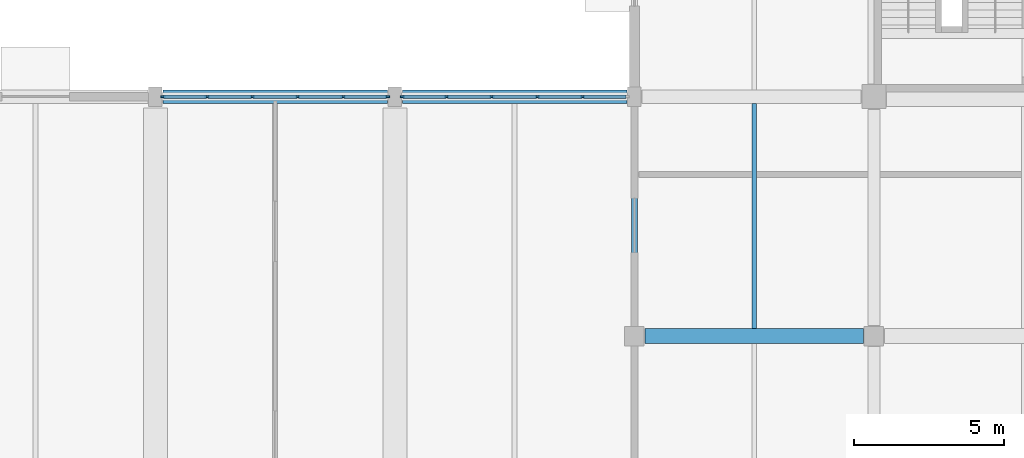
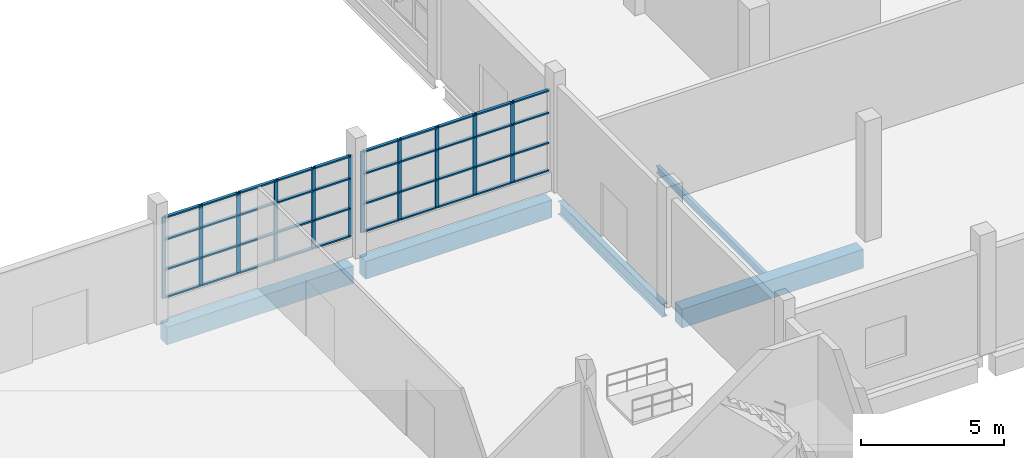
# One storey, part 41 of 103: 51 members, 5 beams, 2 elements without a shape of their own.
"""IFC4 building model written with IfcOpenShell, lengths in metres."""

from ifc_helpers import new_model, si_unit, direction, frame, origin, origin_2d, place, context, subcontext, project, spatial, rectangle, i_section, extrude, material, layer, layer_set, material_profile, profile_set, type_object, element, aggregate, save


model = new_model("IFC4")

# Units and contexts
model_context = context("Model", 3, precision=1e-05, world=origin(), true_north=direction((0.0, 1.0)))
body_context = subcontext(model_context, "Body", "Model", "MODEL_VIEW")
ifc_project = project(units=[si_unit("LENGTHUNIT", "METRE"), si_unit("AREAUNIT", "SQUARE_METRE"), si_unit("VOLUMEUNIT", "CUBIC_METRE"), si_unit("PLANEANGLEUNIT", "RADIAN"), si_unit("MASSUNIT", "GRAM", prefix="KILO")], contexts=[model_context])

# Site, building, storey
site_placement = place(None, origin())
site = spatial("IfcSite", under=ifc_project, at=site_placement, CompositionType="ELEMENT")
building_placement = place(site_placement, origin())
building = spatial("IfcBuilding", under=site, at=building_placement, Name="Drelvana Railside Aquatics Centre", CompositionType="ELEMENT")
storey_placement = place(building_placement, origin())
storey = spatial("IfcBuildingStorey", under=building, at=storey_placement, Name="L00", CompositionType="ELEMENT", Elevation=0.0)

# Curtain wall, members
ifc_material_1 = material(Name="Bronze-anodised aluminium curtain wall", Category="aluminium")
ifc_layer = layer(ifc_material_1, 0.1650390625, Name="Bronze-anodised aluminium curtain wall")
ifc_layer_set = layer_set([ifc_layer], Name="Bronze-anodised aluminium curtain wall")
curtain_wall_type = type_object("IfcCurtainWallType", Name="CW-Z5-COURT", PredefinedType="NOTDEFINED", material=ifc_layer_set)
curtain_wall_1_placement = place(storey_placement, origin())
curtain_wall_1 = element("IfcCurtainWall", 1, at=curtain_wall_1_placement, inside=storey, type_object=curtain_wall_type, Name="Curtain wall CW-05-111", PredefinedType="NOTDEFINED")
ifc_material_2 = material(Name="Bronze-anodised aluminium 6063-T6", Category="aluminium")
ifc_material_profile_1 = material_profile(ifc_material_2, rectangle(XDim=0.06005859375, YDim=0.14990234375, at=origin_2d()), Name="ALU-M 60x150")
ifc_profile_set_1 = profile_set([ifc_material_profile_1], Name="Bronze-anodised aluminium 6063-T6")
member_type_1 = type_object("IfcMemberType", Name="CW-Z5-COURT-MUL", PredefinedType="MULLION", material=ifc_profile_set_1)
member_1_placement = place(storey_placement, frame((128.2490234375, 24.0, 0.7939453125), z_axis=(0.0, 0.0, 1.0), x_axis=(0.0, 1.0, 0.0)))
member_1 = element("IfcMember", 2, at=member_1_placement, type_object=member_type_1, Name="CW-05 mullion 1", PredefinedType="MULLION", context=body_context, shape_type="SweptSolid", body=[
    extrude(rectangle(XDim=0.06005859375, YDim=0.14990234375, at=origin_2d()), origin(), (0.0, 0.0, 1.0), 3.4560546875),
])
member_2_placement = place(storey_placement, frame((129.7314453125, 24.0, 0.7939453125), z_axis=(0.0, 0.0, 1.0), x_axis=(0.0, 1.0, 0.0)))
member_2 = element("IfcMember", 3, at=member_2_placement, type_object=member_type_1, Name="CW-05 mullion 2", PredefinedType="MULLION", context=body_context, shape_type="SweptSolid", body=[
    extrude(rectangle(XDim=0.06005859375, YDim=0.14990234375, at=origin_2d()), origin(), (0.0, 0.0, 1.0), 3.4560546875),
])
member_3_placement = place(storey_placement, frame((131.243896484375, 24.0, 0.7939453125), z_axis=(0.0, 0.0, 1.0), x_axis=(0.0, 1.0, 0.0)))
member_3 = element("IfcMember", 4, at=member_3_placement, type_object=member_type_1, Name="CW-05 mullion 3", PredefinedType="MULLION", context=body_context, shape_type="SweptSolid", body=[
    extrude(rectangle(XDim=0.06005859375, YDim=0.14990234375, at=origin_2d()), origin(), (0.0, 0.0, 1.0), 3.4560546875),
])
member_4_placement = place(storey_placement, frame((132.756103515625, 24.0, 0.7939453125), z_axis=(0.0, 0.0, 1.0), x_axis=(0.0, 1.0, 0.0)))
member_4 = element("IfcMember", 5, at=member_4_placement, type_object=member_type_1, Name="CW-05 mullion 4", PredefinedType="MULLION", context=body_context, shape_type="SweptSolid", body=[
    extrude(rectangle(XDim=0.06005859375, YDim=0.14990234375, at=origin_2d()), origin(), (0.0, 0.0, 1.0), 3.4560546875),
])
member_5_placement = place(storey_placement, frame((134.2685546875, 24.0, 0.7939453125), z_axis=(0.0, 0.0, 1.0), x_axis=(0.0, 1.0, 0.0)))
member_5 = element("IfcMember", 6, at=member_5_placement, type_object=member_type_1, Name="CW-05 mullion 5", PredefinedType="MULLION", context=body_context, shape_type="SweptSolid", body=[
    extrude(rectangle(XDim=0.06005859375, YDim=0.14990234375, at=origin_2d()), origin(), (0.0, 0.0, 1.0), 3.4560546875),
])
member_6_placement = place(storey_placement, frame((135.7509765625, 24.0, 0.7939453125), z_axis=(0.0, 0.0, 1.0), x_axis=(0.0, 1.0, 0.0)))
member_6 = element("IfcMember", 7, at=member_6_placement, type_object=member_type_1, Name="CW-05 mullion 6", PredefinedType="MULLION", context=body_context, shape_type="SweptSolid", body=[
    extrude(rectangle(XDim=0.06005859375, YDim=0.14990234375, at=origin_2d()), origin(), (0.0, 0.0, 1.0), 3.4560546875),
])

curtain_wall_2_placement = place(storey_placement, origin())
curtain_wall_2 = element("IfcCurtainWall", 8, at=curtain_wall_2_placement, inside=storey, type_object=curtain_wall_type, Name="Curtain wall CW-05-113", PredefinedType="NOTDEFINED")
member_7_placement = place(storey_placement, frame((136.2490234375, 24.0, 0.7939453125), z_axis=(0.0, 0.0, 1.0), x_axis=(0.0, 1.0, 0.0)))
member_7 = element("IfcMember", 9, at=member_7_placement, type_object=member_type_1, Name="CW-05 mullion 1", PredefinedType="MULLION", context=body_context, shape_type="SweptSolid", body=[
    extrude(rectangle(XDim=0.06005859375, YDim=0.14990234375, at=origin_2d()), origin(), (0.0, 0.0, 1.0), 3.4560546875),
])
member_8_placement = place(storey_placement, frame((137.7314453125, 24.0, 0.7939453125), z_axis=(0.0, 0.0, 1.0), x_axis=(0.0, 1.0, 0.0)))
member_8 = element("IfcMember", 10, at=member_8_placement, type_object=member_type_1, Name="CW-05 mullion 2", PredefinedType="MULLION", context=body_context, shape_type="SweptSolid", body=[
    extrude(rectangle(XDim=0.06005859375, YDim=0.14990234375, at=origin_2d()), origin(), (0.0, 0.0, 1.0), 3.4560546875),
])
member_9_placement = place(storey_placement, frame((139.243896484375, 24.0, 0.7939453125), z_axis=(0.0, 0.0, 1.0), x_axis=(0.0, 1.0, 0.0)))
member_9 = element("IfcMember", 11, at=member_9_placement, type_object=member_type_1, Name="CW-05 mullion 3", PredefinedType="MULLION", context=body_context, shape_type="SweptSolid", body=[
    extrude(rectangle(XDim=0.06005859375, YDim=0.14990234375, at=origin_2d()), origin(), (0.0, 0.0, 1.0), 3.4560546875),
])
member_10_placement = place(storey_placement, frame((140.756103515625, 24.0, 0.7939453125), z_axis=(0.0, 0.0, 1.0), x_axis=(0.0, 1.0, 0.0)))
member_10 = element("IfcMember", 12, at=member_10_placement, type_object=member_type_1, Name="CW-05 mullion 4", PredefinedType="MULLION", context=body_context, shape_type="SweptSolid", body=[
    extrude(rectangle(XDim=0.06005859375, YDim=0.14990234375, at=origin_2d()), origin(), (0.0, 0.0, 1.0), 3.4560546875),
])
member_11_placement = place(storey_placement, frame((142.2685546875, 24.0, 0.7939453125), z_axis=(0.0, 0.0, 1.0), x_axis=(0.0, 1.0, 0.0)))
member_11 = element("IfcMember", 13, at=member_11_placement, type_object=member_type_1, Name="CW-05 mullion 5", PredefinedType="MULLION", context=body_context, shape_type="SweptSolid", body=[
    extrude(rectangle(XDim=0.06005859375, YDim=0.14990234375, at=origin_2d()), origin(), (0.0, 0.0, 1.0), 3.4560546875),
])

# Member
ifc_material_profile_2 = material_profile(ifc_material_2, rectangle(XDim=0.1201171875, YDim=0.06005859375, at=origin_2d()), Name="ALU-T 60x120")
ifc_profile_set_2 = profile_set([ifc_material_profile_2], Name="Bronze-anodised aluminium 6063-T6")
member_type_2 = type_object("IfcMemberType", Name="CW-Z5-COURT-TRN", PredefinedType="USERDEFINED", material=ifc_profile_set_2)
member_12_placement = place(storey_placement, frame((128.27392578125, 24.0, 0.823974609375), z_axis=(1.0, 0.0, 0.0), x_axis=(0.0, 1.0, 0.0)))
member_12 = element("IfcMember", 14, at=member_12_placement, type_object=member_type_2, Name="CW-05 transom 1.1", ObjectType="TRANSOM", PredefinedType="USERDEFINED", context=body_context, shape_type="SweptSolid", body=[
    extrude(rectangle(XDim=0.1201171875, YDim=0.06005859375, at=origin_2d()), origin(), (0.0, 0.0, 1.0), 1.432373046875),
])

member_13_placement = place(storey_placement, frame((128.27392578125, 24.0, 2.00390625), z_axis=(1.0, 0.0, 0.0), x_axis=(0.0, 1.0, 0.0)))
member_13 = element("IfcMember", 15, at=member_13_placement, type_object=member_type_2, Name="CW-05 transom 1.2", ObjectType="TRANSOM", PredefinedType="USERDEFINED", context=body_context, shape_type="SweptSolid", body=[
    extrude(rectangle(XDim=0.1201171875, YDim=0.06005859375, at=origin_2d()), origin(), (0.0, 0.0, 1.0), 1.432373046875),
])

member_14_placement = place(storey_placement, frame((128.27392578125, 24.0, 3.281982421875), z_axis=(1.0, 0.0, 0.0), x_axis=(0.0, 1.0, 0.0)))
member_14 = element("IfcMember", 16, at=member_14_placement, type_object=member_type_2, Name="CW-05 transom 1.3", ObjectType="TRANSOM", PredefinedType="USERDEFINED", context=body_context, shape_type="SweptSolid", body=[
    extrude(rectangle(XDim=0.1201171875, YDim=0.06005859375, at=origin_2d()), origin(), (0.0, 0.0, 1.0), 1.432373046875),
])

member_15_placement = place(storey_placement, frame((128.27392578125, 24.0, 4.219970703125), z_axis=(1.0, 0.0, 0.0), x_axis=(0.0, 1.0, 0.0)))
member_15 = element("IfcMember", 17, at=member_15_placement, type_object=member_type_2, Name="CW-05 transom 1.4", ObjectType="TRANSOM", PredefinedType="USERDEFINED", context=body_context, shape_type="SweptSolid", body=[
    extrude(rectangle(XDim=0.1201171875, YDim=0.06005859375, at=origin_2d()), origin(), (0.0, 0.0, 1.0), 1.432373046875),
])

member_16_placement = place(storey_placement, frame((129.75634765625, 24.0, 0.823974609375), z_axis=(1.0, 0.0, 0.0), x_axis=(0.0, 1.0, 0.0)))
member_16 = element("IfcMember", 18, at=member_16_placement, type_object=member_type_2, Name="CW-05 transom 2.1", ObjectType="TRANSOM", PredefinedType="USERDEFINED", context=body_context, shape_type="SweptSolid", body=[
    extrude(rectangle(XDim=0.1201171875, YDim=0.06005859375, at=origin_2d()), origin(), (0.0, 0.0, 1.0), 1.46240234375),
])

member_17_placement = place(storey_placement, frame((129.75634765625, 24.0, 2.00390625), z_axis=(1.0, 0.0, 0.0), x_axis=(0.0, 1.0, 0.0)))
member_17 = element("IfcMember", 19, at=member_17_placement, type_object=member_type_2, Name="CW-05 transom 2.2", ObjectType="TRANSOM", PredefinedType="USERDEFINED", context=body_context, shape_type="SweptSolid", body=[
    extrude(rectangle(XDim=0.1201171875, YDim=0.06005859375, at=origin_2d()), origin(), (0.0, 0.0, 1.0), 1.46240234375),
])

member_18_placement = place(storey_placement, frame((129.75634765625, 24.0, 3.281982421875), z_axis=(1.0, 0.0, 0.0), x_axis=(0.0, 1.0, 0.0)))
member_18 = element("IfcMember", 20, at=member_18_placement, type_object=member_type_2, Name="CW-05 transom 2.3", ObjectType="TRANSOM", PredefinedType="USERDEFINED", context=body_context, shape_type="SweptSolid", body=[
    extrude(rectangle(XDim=0.1201171875, YDim=0.06005859375, at=origin_2d()), origin(), (0.0, 0.0, 1.0), 1.46240234375),
])

member_19_placement = place(storey_placement, frame((129.75634765625, 24.0, 4.219970703125), z_axis=(1.0, 0.0, 0.0), x_axis=(0.0, 1.0, 0.0)))
member_19 = element("IfcMember", 21, at=member_19_placement, type_object=member_type_2, Name="CW-05 transom 2.4", ObjectType="TRANSOM", PredefinedType="USERDEFINED", context=body_context, shape_type="SweptSolid", body=[
    extrude(rectangle(XDim=0.1201171875, YDim=0.06005859375, at=origin_2d()), origin(), (0.0, 0.0, 1.0), 1.46240234375),
])

member_20_placement = place(storey_placement, frame((131.268798828125, 24.0, 0.823974609375), z_axis=(1.0, 0.0, 0.0), x_axis=(0.0, 1.0, 0.0)))
member_20 = element("IfcMember", 22, at=member_20_placement, type_object=member_type_2, Name="CW-05 transom 3.1", ObjectType="TRANSOM", PredefinedType="USERDEFINED", context=body_context, shape_type="SweptSolid", body=[
    extrude(rectangle(XDim=0.1201171875, YDim=0.06005859375, at=origin_2d()), origin(), (0.0, 0.0, 1.0), 1.46240234375),
])

member_21_placement = place(storey_placement, frame((131.268798828125, 24.0, 2.00390625), z_axis=(1.0, 0.0, 0.0), x_axis=(0.0, 1.0, 0.0)))
member_21 = element("IfcMember", 23, at=member_21_placement, type_object=member_type_2, Name="CW-05 transom 3.2", ObjectType="TRANSOM", PredefinedType="USERDEFINED", context=body_context, shape_type="SweptSolid", body=[
    extrude(rectangle(XDim=0.1201171875, YDim=0.06005859375, at=origin_2d()), origin(), (0.0, 0.0, 1.0), 1.46240234375),
])

member_22_placement = place(storey_placement, frame((131.268798828125, 24.0, 3.281982421875), z_axis=(1.0, 0.0, 0.0), x_axis=(0.0, 1.0, 0.0)))
member_22 = element("IfcMember", 24, at=member_22_placement, type_object=member_type_2, Name="CW-05 transom 3.3", ObjectType="TRANSOM", PredefinedType="USERDEFINED", context=body_context, shape_type="SweptSolid", body=[
    extrude(rectangle(XDim=0.1201171875, YDim=0.06005859375, at=origin_2d()), origin(), (0.0, 0.0, 1.0), 1.46240234375),
])

member_23_placement = place(storey_placement, frame((131.268798828125, 24.0, 4.219970703125), z_axis=(1.0, 0.0, 0.0), x_axis=(0.0, 1.0, 0.0)))
member_23 = element("IfcMember", 25, at=member_23_placement, type_object=member_type_2, Name="CW-05 transom 3.4", ObjectType="TRANSOM", PredefinedType="USERDEFINED", context=body_context, shape_type="SweptSolid", body=[
    extrude(rectangle(XDim=0.1201171875, YDim=0.06005859375, at=origin_2d()), origin(), (0.0, 0.0, 1.0), 1.46240234375),
])

member_24_placement = place(storey_placement, frame((132.78125, 24.0, 0.823974609375), z_axis=(1.0, 0.0, 0.0), x_axis=(0.0, 1.0, 0.0)))
member_24 = element("IfcMember", 26, at=member_24_placement, type_object=member_type_2, Name="CW-05 transom 4.1", ObjectType="TRANSOM", PredefinedType="USERDEFINED", context=body_context, shape_type="SweptSolid", body=[
    extrude(rectangle(XDim=0.1201171875, YDim=0.06005859375, at=origin_2d()), origin(), (0.0, 0.0, 1.0), 1.46240234375),
])

member_25_placement = place(storey_placement, frame((132.78125, 24.0, 2.00390625), z_axis=(1.0, 0.0, 0.0), x_axis=(0.0, 1.0, 0.0)))
member_25 = element("IfcMember", 27, at=member_25_placement, type_object=member_type_2, Name="CW-05 transom 4.2", ObjectType="TRANSOM", PredefinedType="USERDEFINED", context=body_context, shape_type="SweptSolid", body=[
    extrude(rectangle(XDim=0.1201171875, YDim=0.06005859375, at=origin_2d()), origin(), (0.0, 0.0, 1.0), 1.46240234375),
])

member_26_placement = place(storey_placement, frame((132.78125, 24.0, 3.281982421875), z_axis=(1.0, 0.0, 0.0), x_axis=(0.0, 1.0, 0.0)))
member_26 = element("IfcMember", 28, at=member_26_placement, type_object=member_type_2, Name="CW-05 transom 4.3", ObjectType="TRANSOM", PredefinedType="USERDEFINED", context=body_context, shape_type="SweptSolid", body=[
    extrude(rectangle(XDim=0.1201171875, YDim=0.06005859375, at=origin_2d()), origin(), (0.0, 0.0, 1.0), 1.46240234375),
])

member_27_placement = place(storey_placement, frame((132.78125, 24.0, 4.219970703125), z_axis=(1.0, 0.0, 0.0), x_axis=(0.0, 1.0, 0.0)))
member_27 = element("IfcMember", 29, at=member_27_placement, type_object=member_type_2, Name="CW-05 transom 4.4", ObjectType="TRANSOM", PredefinedType="USERDEFINED", context=body_context, shape_type="SweptSolid", body=[
    extrude(rectangle(XDim=0.1201171875, YDim=0.06005859375, at=origin_2d()), origin(), (0.0, 0.0, 1.0), 1.46240234375),
])

member_28_placement = place(storey_placement, frame((134.293701171875, 24.0, 0.823974609375), z_axis=(1.0, 0.0, 0.0), x_axis=(0.0, 1.0, 0.0)))
member_28 = element("IfcMember", 30, at=member_28_placement, type_object=member_type_2, Name="CW-05 transom 5.1", ObjectType="TRANSOM", PredefinedType="USERDEFINED", context=body_context, shape_type="SweptSolid", body=[
    extrude(rectangle(XDim=0.1201171875, YDim=0.06005859375, at=origin_2d()), origin(), (0.0, 0.0, 1.0), 1.432373046875),
])

member_29_placement = place(storey_placement, frame((134.293701171875, 24.0, 2.00390625), z_axis=(1.0, 0.0, 0.0), x_axis=(0.0, 1.0, 0.0)))
member_29 = element("IfcMember", 31, at=member_29_placement, type_object=member_type_2, Name="CW-05 transom 5.2", ObjectType="TRANSOM", PredefinedType="USERDEFINED", context=body_context, shape_type="SweptSolid", body=[
    extrude(rectangle(XDim=0.1201171875, YDim=0.06005859375, at=origin_2d()), origin(), (0.0, 0.0, 1.0), 1.432373046875),
])

member_30_placement = place(storey_placement, frame((134.293701171875, 24.0, 3.281982421875), z_axis=(1.0, 0.0, 0.0), x_axis=(0.0, 1.0, 0.0)))
member_30 = element("IfcMember", 32, at=member_30_placement, type_object=member_type_2, Name="CW-05 transom 5.3", ObjectType="TRANSOM", PredefinedType="USERDEFINED", context=body_context, shape_type="SweptSolid", body=[
    extrude(rectangle(XDim=0.1201171875, YDim=0.06005859375, at=origin_2d()), origin(), (0.0, 0.0, 1.0), 1.432373046875),
])

member_31_placement = place(storey_placement, frame((134.293701171875, 24.0, 4.219970703125), z_axis=(1.0, 0.0, 0.0), x_axis=(0.0, 1.0, 0.0)))
member_31 = element("IfcMember", 33, at=member_31_placement, type_object=member_type_2, Name="CW-05 transom 5.4", ObjectType="TRANSOM", PredefinedType="USERDEFINED", context=body_context, shape_type="SweptSolid", body=[
    extrude(rectangle(XDim=0.1201171875, YDim=0.06005859375, at=origin_2d()), origin(), (0.0, 0.0, 1.0), 1.432373046875),
])

aggregate(curtain_wall_1, [member_1, member_2, member_3, member_4, member_5, member_6, member_12, member_13, member_14, member_15, member_16, member_17, member_18, member_19, member_20, member_21, member_22, member_23, member_24, member_25, member_26, member_27, member_28, member_29, member_30, member_31])

member_32_placement = place(storey_placement, frame((136.27392578125, 24.0, 0.823974609375), z_axis=(1.0, 0.0, 0.0), x_axis=(0.0, 1.0, 0.0)))
member_32 = element("IfcMember", 34, at=member_32_placement, type_object=member_type_2, Name="CW-05 transom 1.1", ObjectType="TRANSOM", PredefinedType="USERDEFINED", context=body_context, shape_type="SweptSolid", body=[
    extrude(rectangle(XDim=0.1201171875, YDim=0.06005859375, at=origin_2d()), origin(), (0.0, 0.0, 1.0), 1.432373046875),
])

member_33_placement = place(storey_placement, frame((136.27392578125, 24.0, 2.00390625), z_axis=(1.0, 0.0, 0.0), x_axis=(0.0, 1.0, 0.0)))
member_33 = element("IfcMember", 35, at=member_33_placement, type_object=member_type_2, Name="CW-05 transom 1.2", ObjectType="TRANSOM", PredefinedType="USERDEFINED", context=body_context, shape_type="SweptSolid", body=[
    extrude(rectangle(XDim=0.1201171875, YDim=0.06005859375, at=origin_2d()), origin(), (0.0, 0.0, 1.0), 1.432373046875),
])

member_34_placement = place(storey_placement, frame((136.27392578125, 24.0, 3.281982421875), z_axis=(1.0, 0.0, 0.0), x_axis=(0.0, 1.0, 0.0)))
member_34 = element("IfcMember", 36, at=member_34_placement, type_object=member_type_2, Name="CW-05 transom 1.3", ObjectType="TRANSOM", PredefinedType="USERDEFINED", context=body_context, shape_type="SweptSolid", body=[
    extrude(rectangle(XDim=0.1201171875, YDim=0.06005859375, at=origin_2d()), origin(), (0.0, 0.0, 1.0), 1.432373046875),
])

member_35_placement = place(storey_placement, frame((136.27392578125, 24.0, 4.219970703125), z_axis=(1.0, 0.0, 0.0), x_axis=(0.0, 1.0, 0.0)))
member_35 = element("IfcMember", 37, at=member_35_placement, type_object=member_type_2, Name="CW-05 transom 1.4", ObjectType="TRANSOM", PredefinedType="USERDEFINED", context=body_context, shape_type="SweptSolid", body=[
    extrude(rectangle(XDim=0.1201171875, YDim=0.06005859375, at=origin_2d()), origin(), (0.0, 0.0, 1.0), 1.432373046875),
])

member_36_placement = place(storey_placement, frame((137.75634765625, 24.0, 0.823974609375), z_axis=(1.0, 0.0, 0.0), x_axis=(0.0, 1.0, 0.0)))
member_36 = element("IfcMember", 38, at=member_36_placement, type_object=member_type_2, Name="CW-05 transom 2.1", ObjectType="TRANSOM", PredefinedType="USERDEFINED", context=body_context, shape_type="SweptSolid", body=[
    extrude(rectangle(XDim=0.1201171875, YDim=0.06005859375, at=origin_2d()), origin(), (0.0, 0.0, 1.0), 1.46240234375),
])

member_37_placement = place(storey_placement, frame((137.75634765625, 24.0, 2.00390625), z_axis=(1.0, 0.0, 0.0), x_axis=(0.0, 1.0, 0.0)))
member_37 = element("IfcMember", 39, at=member_37_placement, type_object=member_type_2, Name="CW-05 transom 2.2", ObjectType="TRANSOM", PredefinedType="USERDEFINED", context=body_context, shape_type="SweptSolid", body=[
    extrude(rectangle(XDim=0.1201171875, YDim=0.06005859375, at=origin_2d()), origin(), (0.0, 0.0, 1.0), 1.46240234375),
])

member_38_placement = place(storey_placement, frame((137.75634765625, 24.0, 3.281982421875), z_axis=(1.0, 0.0, 0.0), x_axis=(0.0, 1.0, 0.0)))
member_38 = element("IfcMember", 40, at=member_38_placement, type_object=member_type_2, Name="CW-05 transom 2.3", ObjectType="TRANSOM", PredefinedType="USERDEFINED", context=body_context, shape_type="SweptSolid", body=[
    extrude(rectangle(XDim=0.1201171875, YDim=0.06005859375, at=origin_2d()), origin(), (0.0, 0.0, 1.0), 1.46240234375),
])

member_39_placement = place(storey_placement, frame((137.75634765625, 24.0, 4.219970703125), z_axis=(1.0, 0.0, 0.0), x_axis=(0.0, 1.0, 0.0)))
member_39 = element("IfcMember", 41, at=member_39_placement, type_object=member_type_2, Name="CW-05 transom 2.4", ObjectType="TRANSOM", PredefinedType="USERDEFINED", context=body_context, shape_type="SweptSolid", body=[
    extrude(rectangle(XDim=0.1201171875, YDim=0.06005859375, at=origin_2d()), origin(), (0.0, 0.0, 1.0), 1.46240234375),
])

member_40_placement = place(storey_placement, frame((139.268798828125, 24.0, 0.823974609375), z_axis=(1.0, 0.0, 0.0), x_axis=(0.0, 1.0, 0.0)))
member_40 = element("IfcMember", 42, at=member_40_placement, type_object=member_type_2, Name="CW-05 transom 3.1", ObjectType="TRANSOM", PredefinedType="USERDEFINED", context=body_context, shape_type="SweptSolid", body=[
    extrude(rectangle(XDim=0.1201171875, YDim=0.06005859375, at=origin_2d()), origin(), (0.0, 0.0, 1.0), 1.46240234375),
])

member_41_placement = place(storey_placement, frame((139.268798828125, 24.0, 2.00390625), z_axis=(1.0, 0.0, 0.0), x_axis=(0.0, 1.0, 0.0)))
member_41 = element("IfcMember", 43, at=member_41_placement, type_object=member_type_2, Name="CW-05 transom 3.2", ObjectType="TRANSOM", PredefinedType="USERDEFINED", context=body_context, shape_type="SweptSolid", body=[
    extrude(rectangle(XDim=0.1201171875, YDim=0.06005859375, at=origin_2d()), origin(), (0.0, 0.0, 1.0), 1.46240234375),
])

member_42_placement = place(storey_placement, frame((139.268798828125, 24.0, 3.281982421875), z_axis=(1.0, 0.0, 0.0), x_axis=(0.0, 1.0, 0.0)))
member_42 = element("IfcMember", 44, at=member_42_placement, type_object=member_type_2, Name="CW-05 transom 3.3", ObjectType="TRANSOM", PredefinedType="USERDEFINED", context=body_context, shape_type="SweptSolid", body=[
    extrude(rectangle(XDim=0.1201171875, YDim=0.06005859375, at=origin_2d()), origin(), (0.0, 0.0, 1.0), 1.46240234375),
])

member_43_placement = place(storey_placement, frame((139.268798828125, 24.0, 4.219970703125), z_axis=(1.0, 0.0, 0.0), x_axis=(0.0, 1.0, 0.0)))
member_43 = element("IfcMember", 45, at=member_43_placement, type_object=member_type_2, Name="CW-05 transom 3.4", ObjectType="TRANSOM", PredefinedType="USERDEFINED", context=body_context, shape_type="SweptSolid", body=[
    extrude(rectangle(XDim=0.1201171875, YDim=0.06005859375, at=origin_2d()), origin(), (0.0, 0.0, 1.0), 1.46240234375),
])

member_44_placement = place(storey_placement, frame((140.78125, 24.0, 0.823974609375), z_axis=(1.0, 0.0, 0.0), x_axis=(0.0, 1.0, 0.0)))
member_44 = element("IfcMember", 46, at=member_44_placement, type_object=member_type_2, Name="CW-05 transom 4.1", ObjectType="TRANSOM", PredefinedType="USERDEFINED", context=body_context, shape_type="SweptSolid", body=[
    extrude(rectangle(XDim=0.1201171875, YDim=0.06005859375, at=origin_2d()), origin(), (0.0, 0.0, 1.0), 1.46240234375),
])

member_45_placement = place(storey_placement, frame((140.78125, 24.0, 2.00390625), z_axis=(1.0, 0.0, 0.0), x_axis=(0.0, 1.0, 0.0)))
member_45 = element("IfcMember", 47, at=member_45_placement, type_object=member_type_2, Name="CW-05 transom 4.2", ObjectType="TRANSOM", PredefinedType="USERDEFINED", context=body_context, shape_type="SweptSolid", body=[
    extrude(rectangle(XDim=0.1201171875, YDim=0.06005859375, at=origin_2d()), origin(), (0.0, 0.0, 1.0), 1.46240234375),
])

member_46_placement = place(storey_placement, frame((140.78125, 24.0, 3.281982421875), z_axis=(1.0, 0.0, 0.0), x_axis=(0.0, 1.0, 0.0)))
member_46 = element("IfcMember", 48, at=member_46_placement, type_object=member_type_2, Name="CW-05 transom 4.3", ObjectType="TRANSOM", PredefinedType="USERDEFINED", context=body_context, shape_type="SweptSolid", body=[
    extrude(rectangle(XDim=0.1201171875, YDim=0.06005859375, at=origin_2d()), origin(), (0.0, 0.0, 1.0), 1.46240234375),
])

member_47_placement = place(storey_placement, frame((140.78125, 24.0, 4.219970703125), z_axis=(1.0, 0.0, 0.0), x_axis=(0.0, 1.0, 0.0)))
member_47 = element("IfcMember", 49, at=member_47_placement, type_object=member_type_2, Name="CW-05 transom 4.4", ObjectType="TRANSOM", PredefinedType="USERDEFINED", context=body_context, shape_type="SweptSolid", body=[
    extrude(rectangle(XDim=0.1201171875, YDim=0.06005859375, at=origin_2d()), origin(), (0.0, 0.0, 1.0), 1.46240234375),
])

member_48_placement = place(storey_placement, frame((142.293701171875, 24.0, 0.823974609375), z_axis=(1.0, 0.0, 0.0), x_axis=(0.0, 1.0, 0.0)))
member_48 = element("IfcMember", 50, at=member_48_placement, type_object=member_type_2, Name="CW-05 transom 5.1", ObjectType="TRANSOM", PredefinedType="USERDEFINED", context=body_context, shape_type="SweptSolid", body=[
    extrude(rectangle(XDim=0.1201171875, YDim=0.06005859375, at=origin_2d()), origin(), (0.0, 0.0, 1.0), 1.432373046875),
])

member_49_placement = place(storey_placement, frame((142.293701171875, 24.0, 2.00390625), z_axis=(1.0, 0.0, 0.0), x_axis=(0.0, 1.0, 0.0)))
member_49 = element("IfcMember", 51, at=member_49_placement, type_object=member_type_2, Name="CW-05 transom 5.2", ObjectType="TRANSOM", PredefinedType="USERDEFINED", context=body_context, shape_type="SweptSolid", body=[
    extrude(rectangle(XDim=0.1201171875, YDim=0.06005859375, at=origin_2d()), origin(), (0.0, 0.0, 1.0), 1.432373046875),
])

member_50_placement = place(storey_placement, frame((142.293701171875, 24.0, 3.281982421875), z_axis=(1.0, 0.0, 0.0), x_axis=(0.0, 1.0, 0.0)))
member_50 = element("IfcMember", 52, at=member_50_placement, type_object=member_type_2, Name="CW-05 transom 5.3", ObjectType="TRANSOM", PredefinedType="USERDEFINED", context=body_context, shape_type="SweptSolid", body=[
    extrude(rectangle(XDim=0.1201171875, YDim=0.06005859375, at=origin_2d()), origin(), (0.0, 0.0, 1.0), 1.432373046875),
])

member_51_placement = place(storey_placement, frame((142.293701171875, 24.0, 4.219970703125), z_axis=(1.0, 0.0, 0.0), x_axis=(0.0, 1.0, 0.0)))
member_51 = element("IfcMember", 53, at=member_51_placement, type_object=member_type_2, Name="CW-05 transom 5.4", ObjectType="TRANSOM", PredefinedType="USERDEFINED", context=body_context, shape_type="SweptSolid", body=[
    extrude(rectangle(XDim=0.1201171875, YDim=0.06005859375, at=origin_2d()), origin(), (0.0, 0.0, 1.0), 1.432373046875),
])

aggregate(curtain_wall_2, [member_7, member_8, member_9, member_10, member_11, member_32, member_33, member_34, member_35, member_36, member_37, member_38, member_39, member_40, member_41, member_42, member_43, member_44, member_45, member_46, member_47, member_48, member_49, member_50, member_51])

# Beams
ifc_material_3 = material(Name="Concrete C40/50", Category="concrete")
ifc_material_profile_3 = material_profile(ifc_material_3, rectangle(XDim=0.449951171875, YDim=0.75, at=origin_2d()), Name="RC 450x750")
ifc_profile_set_3 = profile_set([ifc_material_profile_3], Name="Concrete C40/50")
beam_type_1 = type_object("IfcBeamType", Name="STR-BM-BM-04-RC-450x750", PredefinedType="BEAM", material=ifc_profile_set_3)
for number, where, z_axis, x_axis, name in (
    (54, (128.25, 24.0, -0.705078125), (1.0, 0.0, 0.0), (0.0, 1.0, 0.0), "Girder BM-04 (L00)"),
    (55, (136.25, 24.0, -0.705078125), (1.0, 0.0, 0.0), (0.0, 1.0, 0.0), "Girder BM-04 (L00)"),
):
    element("IfcBeam", number, at=place(storey_placement, frame(where, z_axis=z_axis, x_axis=x_axis)), inside=storey, type_object=beam_type_1, Name=name, PredefinedType="BEAM", context=body_context, shape_type="SweptSolid", body=[
        extrude(rectangle(XDim=0.449951171875, YDim=0.75, at=origin_2d()), origin(), (0.0, 0.0, 1.0), 7.5),
    ])
ifc_material_profile_4 = material_profile(ifc_material_3, rectangle(XDim=0.5, YDim=0.800048828125, at=origin_2d()), Name="RC 500x800")
ifc_profile_set_4 = profile_set([ifc_material_profile_4], Name="Concrete C40/50")
beam_type_2 = type_object("IfcBeamType", Name="STR-BM-BM-06-RC-500x800", PredefinedType="SPANDREL", material=ifc_profile_set_4)
beam_1_placement = place(storey_placement, frame((144.35009765625, 16.0, -0.72998046875), z_axis=(1.0, 0.0, 0.0), x_axis=(0.0, 1.0, 0.0)))
element("IfcBeam", 56, at=beam_1_placement, inside=storey, type_object=beam_type_2, Name="Girder BM-06 (L00)", PredefinedType="SPANDREL", context=body_context, shape_type="SweptSolid", body=[
    extrude(rectangle(XDim=0.5, YDim=0.800048828125, at=origin_2d()), origin(), (0.0, 0.0, 1.0), 7.2998046875),
])
ifc_material_4 = material(Name="Structural steel S355", Category="steel")
ifc_material_profile_5 = material_profile(ifc_material_4, i_section(OverallWidth=0.2099609375, OverallDepth=0.550048828125, WebThickness=0.010986328125, FlangeThickness=0.01708984375, at=origin_2d()), Name="IPE 550")
ifc_profile_set_5 = profile_set([ifc_material_profile_5], Name="Structural steel S355")
beam_type_3 = type_object("IfcBeamType", Name="STR-SBM-SB-04-IPE-550", PredefinedType="SPANDREL", material=ifc_profile_set_5)
beam_2_placement = place(storey_placement, frame((144.0, 16.35009765625, -0.60498046875), z_axis=(0.0, 1.0, 0.0), x_axis=(-1.0, 0.0, 0.0)))
element("IfcBeam", 57, at=beam_2_placement, inside=storey, type_object=beam_type_3, Name="Girder SB-04 (L00)", PredefinedType="SPANDREL", context=body_context, shape_type="SweptSolid", body=[
    extrude(i_section(OverallWidth=0.2099609375, OverallDepth=0.550048828125, WebThickness=0.010986328125, FlangeThickness=0.01708984375, at=origin_2d()), origin(), (0.0, 0.0, 1.0), 7.27490234375),
])
ifc_material_profile_6 = material_profile(ifc_material_4, i_section(OverallWidth=0.14990234375, OverallDepth=0.300048828125, WebThickness=0.007080078125, FlangeThickness=0.0107421875, at=origin_2d()), Name="IPE 300")
ifc_profile_set_6 = profile_set([ifc_material_profile_6], Name="Structural steel S355")
beam_type_4 = type_object("IfcBeamType", Name="STR-SBM-SJ-03-IPE-300", PredefinedType="JOIST", material=ifc_profile_set_6)
beam_3_placement = place(storey_placement, frame((148.0, 16.25, -0.47998046875), z_axis=(0.0, 1.0, 0.0), x_axis=(-1.0, 0.0, 0.0)))
element("IfcBeam", 58, at=beam_3_placement, inside=storey, type_object=beam_type_4, Name="Secondary floor joist SJ-03 (L00)", PredefinedType="JOIST", context=body_context, shape_type="SweptSolid", body=[
    extrude(i_section(OverallWidth=0.14990234375, OverallDepth=0.300048828125, WebThickness=0.007080078125, FlangeThickness=0.0107421875, at=origin_2d()), origin(), (0.0, 0.0, 1.0), 7.52490234375),
])

save(model, "model.ifc")
